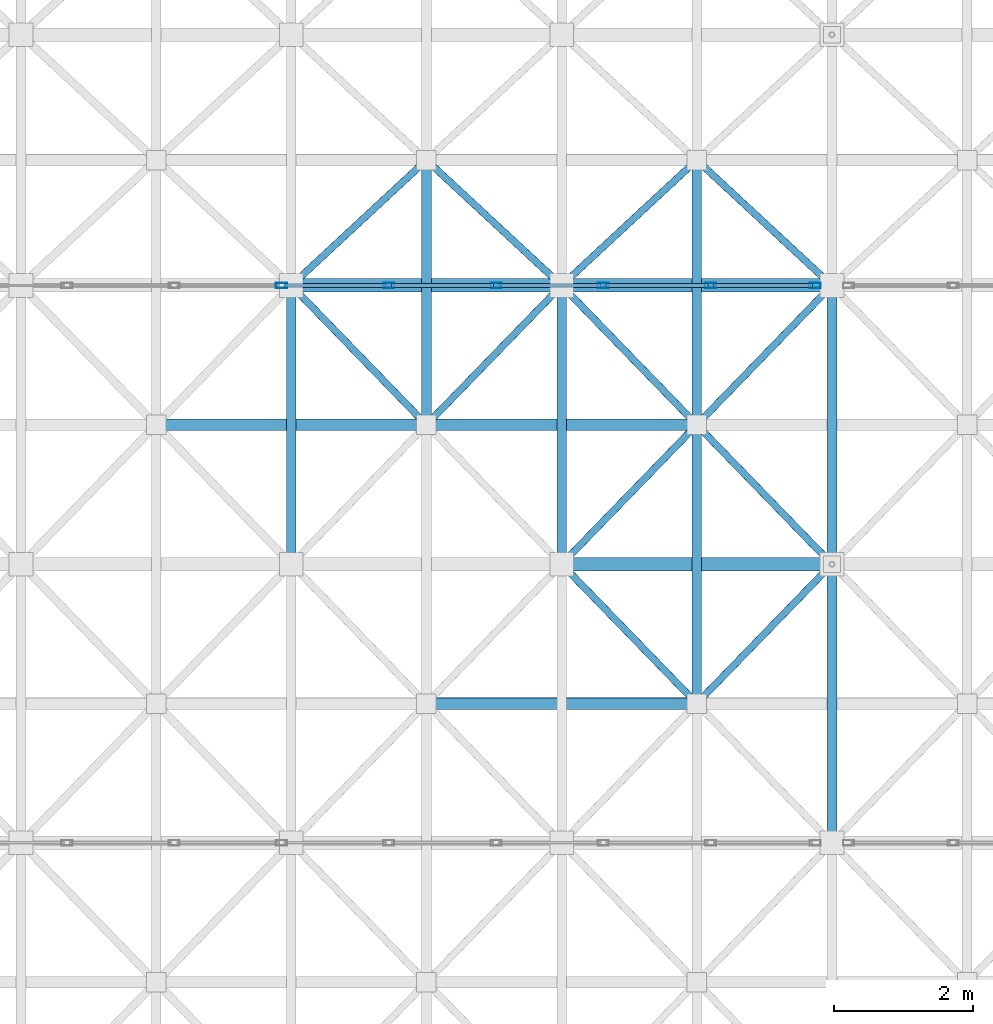
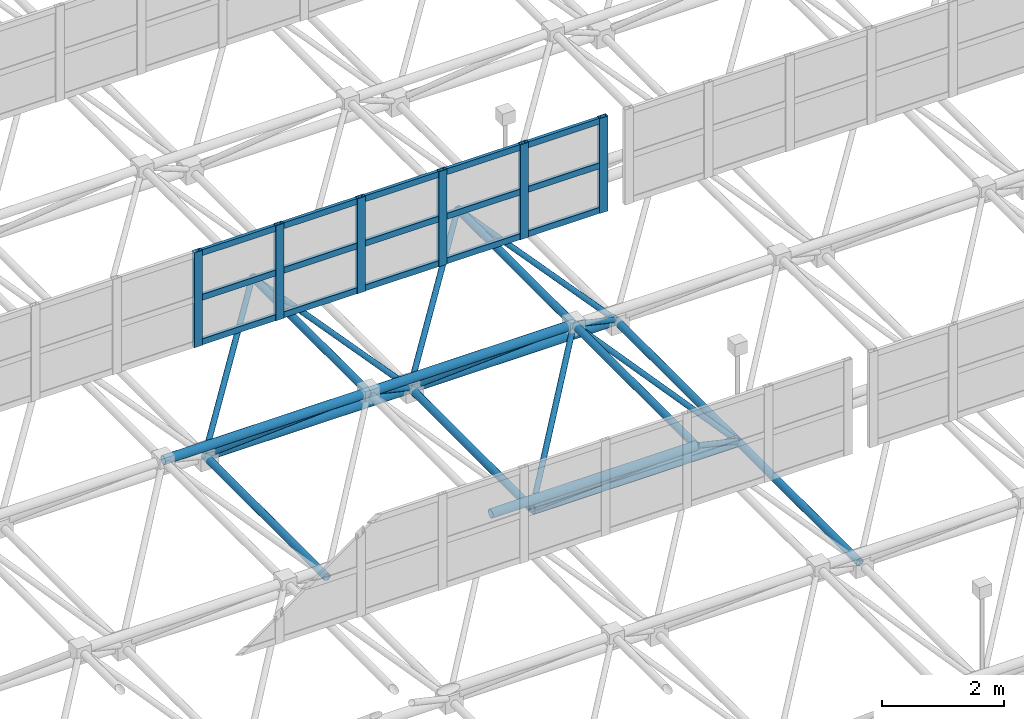
# One storey, part 85 of 195: 46 members, 1 element without a shape of its own.
"""IFC4 building model written with IfcOpenShell, lengths in metres."""

from ifc_helpers import new_model, si_unit, direction, frame, origin, origin_2d, place, context, subcontext, project, spatial, hollow_rectangle, hollow_circle, extrude, material, material_profile, profile_set, type_object, element, aggregate, save


model = new_model("IFC4")

# Units and contexts
model_context = context("Model", 3, precision=1e-05, world=origin(), true_north=direction((0.0, 1.0)))
body_context = subcontext(model_context, "Body", "Model", "MODEL_VIEW")
ifc_project = project(units=[si_unit("LENGTHUNIT", "METRE"), si_unit("AREAUNIT", "SQUARE_METRE"), si_unit("VOLUMEUNIT", "CUBIC_METRE"), si_unit("PLANEANGLEUNIT", "RADIAN"), si_unit("MASSUNIT", "GRAM", prefix="KILO")], contexts=[model_context])

# Site, building, storey
site_placement = place(None, origin())
site = spatial("IfcSite", under=ifc_project, at=site_placement, CompositionType="ELEMENT")
building_placement = place(site_placement, origin())
building = spatial("IfcBuilding", under=site, at=building_placement, Name="Kharva Crest Polytechnic", CompositionType="ELEMENT")
storey_placement = place(building_placement, frame((0.0, 0.0, 9.0)))
storey = spatial("IfcBuildingStorey", under=building, at=storey_placement, Name="L02", CompositionType="ELEMENT", Elevation=9.0)

# Curtain wall, members
ifc_material_1 = material(Name="Tempered insulated glass", Category="glass")
curtain_wall_type = type_object("IfcCurtainWallType", Name="CW-SYS-NORTHLIGHT", PredefinedType="USERDEFINED", material=ifc_material_1)
curtain_wall_placement = place(storey_placement, origin())
curtain_wall = element("IfcCurtainWall", 1, at=curtain_wall_placement, inside=storey, type_object=curtain_wall_type, Name="L02 Glazed Curtain Wall CW-197", ObjectType="CURTAIN WALL", PredefinedType="USERDEFINED")
ifc_material_2 = material(Name="Steel S355", Category="steel")
ifc_material_profile_1 = material_profile(ifc_material_2, hollow_rectangle(XDim=0.080078125, YDim=0.159912109375, WallThickness=0.0048828125, at=origin_2d()), Name="RHS 160X80X5.0")
ifc_profile_set_1 = profile_set([ifc_material_profile_1], Name="Steel S355")
member_type_1 = type_object("IfcMemberType", Name="CWM-RHS160X80", PredefinedType="MULLION", material=ifc_profile_set_1)
member_1_placement = place(storey_placement, frame((8.10009765625, 78.800048828125, 2.85009765625), z_axis=(0.0, 0.0, 1.0), x_axis=(0.0, 1.0, 0.0)))
member_1 = element("IfcMember", 2, at=member_1_placement, type_object=member_type_1, Name="CW-197 mullion 6", PredefinedType="MULLION", context=body_context, shape_type="SweptSolid", body=[
    extrude(hollow_rectangle(XDim=0.080078125, YDim=0.159912109375, WallThickness=0.0048828125, at=origin_2d()), origin(), (0.0, 0.0, 1.0), 1.89990234375),
])
member_2_placement = place(storey_placement, frame((9.639892578125, 78.800048828125, 2.85009765625), z_axis=(0.0, 0.0, 1.0), x_axis=(0.0, 1.0, 0.0)))
member_2 = element("IfcMember", 3, at=member_2_placement, type_object=member_type_1, Name="CW-197 mullion 7", PredefinedType="MULLION", context=body_context, shape_type="SweptSolid", body=[
    extrude(hollow_rectangle(XDim=0.080078125, YDim=0.159912109375, WallThickness=0.0048828125, at=origin_2d()), origin(), (0.0, 0.0, 1.0), 1.89990234375),
])
member_3_placement = place(storey_placement, frame((11.179931640625, 78.800048828125, 2.85009765625), z_axis=(0.0, 0.0, 1.0), x_axis=(0.0, 1.0, 0.0)))
member_3 = element("IfcMember", 4, at=member_3_placement, type_object=member_type_1, Name="CW-197 mullion 8", PredefinedType="MULLION", context=body_context, shape_type="SweptSolid", body=[
    extrude(hollow_rectangle(XDim=0.080078125, YDim=0.159912109375, WallThickness=0.0048828125, at=origin_2d()), origin(), (0.0, 0.0, 1.0), 1.89990234375),
])
member_4_placement = place(storey_placement, frame((12.719970703125, 78.800048828125, 2.85009765625), z_axis=(0.0, 0.0, 1.0), x_axis=(0.0, 1.0, 0.0)))
member_4 = element("IfcMember", 5, at=member_4_placement, type_object=member_type_1, Name="CW-197 mullion 9", PredefinedType="MULLION", context=body_context, shape_type="SweptSolid", body=[
    extrude(hollow_rectangle(XDim=0.080078125, YDim=0.159912109375, WallThickness=0.0048828125, at=origin_2d()), origin(), (0.0, 0.0, 1.0), 1.89990234375),
])
member_5_placement = place(storey_placement, frame((14.260009765625, 78.800048828125, 2.85009765625), z_axis=(0.0, 0.0, 1.0), x_axis=(0.0, 1.0, 0.0)))
member_5 = element("IfcMember", 6, at=member_5_placement, type_object=member_type_1, Name="CW-197 mullion 10", PredefinedType="MULLION", context=body_context, shape_type="SweptSolid", body=[
    extrude(hollow_rectangle(XDim=0.080078125, YDim=0.159912109375, WallThickness=0.0048828125, at=origin_2d()), origin(), (0.0, 0.0, 1.0), 1.89990234375),
])
member_6_placement = place(storey_placement, frame((15.760009765625, 78.800048828125, 2.85009765625), z_axis=(0.0, 0.0, 1.0), x_axis=(0.0, 1.0, 0.0)))
member_6 = element("IfcMember", 7, at=member_6_placement, type_object=member_type_1, Name="CW-197 mullion 11", PredefinedType="MULLION", context=body_context, shape_type="SweptSolid", body=[
    extrude(hollow_rectangle(XDim=0.080078125, YDim=0.159912109375, WallThickness=0.0048828125, at=origin_2d()), origin(), (0.0, 0.0, 1.0), 1.89990234375),
])
ifc_material_profile_2 = material_profile(ifc_material_2, hollow_rectangle(XDim=0.06005859375, YDim=0.1201171875, WallThickness=0.00390625, at=origin_2d()), Name="RHS 120X60X4.0")
ifc_profile_set_2 = profile_set([ifc_material_profile_2], Name="Steel S355")
member_type_2 = type_object("IfcMemberType", Name="CWT-RHS120X60", PredefinedType="USERDEFINED", material=ifc_profile_set_2)
member_7_placement = place(storey_placement, frame((8.139892578125, 78.800048828125, 2.909912109375), z_axis=(1.0, 0.0, 0.0), x_axis=(0.0, 1.0, 0.0)))
member_7 = element("IfcMember", 8, at=member_7_placement, type_object=member_type_2, Name="CW-197 transom 6.1", ObjectType="TRANSOM", PredefinedType="USERDEFINED", context=body_context, shape_type="SweptSolid", body=[
    extrude(hollow_rectangle(XDim=0.06005859375, YDim=0.1201171875, WallThickness=0.00390625, at=origin_2d()), origin(), (0.0, 0.0, 1.0), 1.460205078125),
])
member_8_placement = place(storey_placement, frame((8.139892578125, 78.800048828125, 3.800048828125), z_axis=(1.0, 0.0, 0.0), x_axis=(0.0, 1.0, 0.0)))
member_8 = element("IfcMember", 9, at=member_8_placement, type_object=member_type_2, Name="CW-197 transom 6.2", ObjectType="TRANSOM", PredefinedType="USERDEFINED", context=body_context, shape_type="SweptSolid", body=[
    extrude(hollow_rectangle(XDim=0.06005859375, YDim=0.1201171875, WallThickness=0.00390625, at=origin_2d()), origin(), (0.0, 0.0, 1.0), 1.460205078125),
])
member_9_placement = place(storey_placement, frame((8.139892578125, 78.800048828125, 4.68994140625), z_axis=(1.0, 0.0, 0.0), x_axis=(0.0, 1.0, 0.0)))
member_9 = element("IfcMember", 10, at=member_9_placement, type_object=member_type_2, Name="CW-197 transom 6.3", ObjectType="TRANSOM", PredefinedType="USERDEFINED", context=body_context, shape_type="SweptSolid", body=[
    extrude(hollow_rectangle(XDim=0.06005859375, YDim=0.1201171875, WallThickness=0.00390625, at=origin_2d()), origin(), (0.0, 0.0, 1.0), 1.460205078125),
])
member_10_placement = place(storey_placement, frame((9.679931640625, 78.800048828125, 2.909912109375), z_axis=(1.0, 0.0, 0.0), x_axis=(0.0, 1.0, 0.0)))
member_10 = element("IfcMember", 11, at=member_10_placement, type_object=member_type_2, Name="CW-197 transom 7.1", ObjectType="TRANSOM", PredefinedType="USERDEFINED", context=body_context, shape_type="SweptSolid", body=[
    extrude(hollow_rectangle(XDim=0.06005859375, YDim=0.1201171875, WallThickness=0.00390625, at=origin_2d()), origin(), (0.0, 0.0, 1.0), 1.4599609375),
])
member_11_placement = place(storey_placement, frame((9.679931640625, 78.800048828125, 3.800048828125), z_axis=(1.0, 0.0, 0.0), x_axis=(0.0, 1.0, 0.0)))
member_11 = element("IfcMember", 12, at=member_11_placement, type_object=member_type_2, Name="CW-197 transom 7.2", ObjectType="TRANSOM", PredefinedType="USERDEFINED", context=body_context, shape_type="SweptSolid", body=[
    extrude(hollow_rectangle(XDim=0.06005859375, YDim=0.1201171875, WallThickness=0.00390625, at=origin_2d()), origin(), (0.0, 0.0, 1.0), 1.4599609375),
])
member_12_placement = place(storey_placement, frame((9.679931640625, 78.800048828125, 4.68994140625), z_axis=(1.0, 0.0, 0.0), x_axis=(0.0, 1.0, 0.0)))
member_12 = element("IfcMember", 13, at=member_12_placement, type_object=member_type_2, Name="CW-197 transom 7.3", ObjectType="TRANSOM", PredefinedType="USERDEFINED", context=body_context, shape_type="SweptSolid", body=[
    extrude(hollow_rectangle(XDim=0.06005859375, YDim=0.1201171875, WallThickness=0.00390625, at=origin_2d()), origin(), (0.0, 0.0, 1.0), 1.4599609375),
])
member_13_placement = place(storey_placement, frame((11.219970703125, 78.800048828125, 2.909912109375), z_axis=(1.0, 0.0, 0.0), x_axis=(0.0, 1.0, 0.0)))
member_13 = element("IfcMember", 14, at=member_13_placement, type_object=member_type_2, Name="CW-197 transom 8.1", ObjectType="TRANSOM", PredefinedType="USERDEFINED", context=body_context, shape_type="SweptSolid", body=[
    extrude(hollow_rectangle(XDim=0.06005859375, YDim=0.1201171875, WallThickness=0.00390625, at=origin_2d()), origin(), (0.0, 0.0, 1.0), 1.4599609375),
])
member_14_placement = place(storey_placement, frame((11.219970703125, 78.800048828125, 3.800048828125), z_axis=(1.0, 0.0, 0.0), x_axis=(0.0, 1.0, 0.0)))
member_14 = element("IfcMember", 15, at=member_14_placement, type_object=member_type_2, Name="CW-197 transom 8.2", ObjectType="TRANSOM", PredefinedType="USERDEFINED", context=body_context, shape_type="SweptSolid", body=[
    extrude(hollow_rectangle(XDim=0.06005859375, YDim=0.1201171875, WallThickness=0.00390625, at=origin_2d()), origin(), (0.0, 0.0, 1.0), 1.4599609375),
])
member_15_placement = place(storey_placement, frame((11.219970703125, 78.800048828125, 4.68994140625), z_axis=(1.0, 0.0, 0.0), x_axis=(0.0, 1.0, 0.0)))
member_15 = element("IfcMember", 16, at=member_15_placement, type_object=member_type_2, Name="CW-197 transom 8.3", ObjectType="TRANSOM", PredefinedType="USERDEFINED", context=body_context, shape_type="SweptSolid", body=[
    extrude(hollow_rectangle(XDim=0.06005859375, YDim=0.1201171875, WallThickness=0.00390625, at=origin_2d()), origin(), (0.0, 0.0, 1.0), 1.4599609375),
])
member_16_placement = place(storey_placement, frame((12.760009765625, 78.800048828125, 2.909912109375), z_axis=(1.0, 0.0, 0.0), x_axis=(0.0, 1.0, 0.0)))
member_16 = element("IfcMember", 17, at=member_16_placement, type_object=member_type_2, Name="CW-197 transom 9.1", ObjectType="TRANSOM", PredefinedType="USERDEFINED", context=body_context, shape_type="SweptSolid", body=[
    extrude(hollow_rectangle(XDim=0.06005859375, YDim=0.1201171875, WallThickness=0.00390625, at=origin_2d()), origin(), (0.0, 0.0, 1.0), 1.4599609375),
])
member_17_placement = place(storey_placement, frame((12.760009765625, 78.800048828125, 3.800048828125), z_axis=(1.0, 0.0, 0.0), x_axis=(0.0, 1.0, 0.0)))
member_17 = element("IfcMember", 18, at=member_17_placement, type_object=member_type_2, Name="CW-197 transom 9.2", ObjectType="TRANSOM", PredefinedType="USERDEFINED", context=body_context, shape_type="SweptSolid", body=[
    extrude(hollow_rectangle(XDim=0.06005859375, YDim=0.1201171875, WallThickness=0.00390625, at=origin_2d()), origin(), (0.0, 0.0, 1.0), 1.4599609375),
])
member_18_placement = place(storey_placement, frame((12.760009765625, 78.800048828125, 4.68994140625), z_axis=(1.0, 0.0, 0.0), x_axis=(0.0, 1.0, 0.0)))
member_18 = element("IfcMember", 19, at=member_18_placement, type_object=member_type_2, Name="CW-197 transom 9.3", ObjectType="TRANSOM", PredefinedType="USERDEFINED", context=body_context, shape_type="SweptSolid", body=[
    extrude(hollow_rectangle(XDim=0.06005859375, YDim=0.1201171875, WallThickness=0.00390625, at=origin_2d()), origin(), (0.0, 0.0, 1.0), 1.4599609375),
])
member_19_placement = place(storey_placement, frame((14.300048828125, 78.800048828125, 2.909912109375), z_axis=(1.0, 0.0, 0.0), x_axis=(0.0, 1.0, 0.0)))
member_19 = element("IfcMember", 20, at=member_19_placement, type_object=member_type_2, Name="CW-197 transom 10.1", ObjectType="TRANSOM", PredefinedType="USERDEFINED", context=body_context, shape_type="SweptSolid", body=[
    extrude(hollow_rectangle(XDim=0.06005859375, YDim=0.1201171875, WallThickness=0.00390625, at=origin_2d()), origin(), (0.0, 0.0, 1.0), 1.419921875),
])
member_20_placement = place(storey_placement, frame((14.300048828125, 78.800048828125, 3.800048828125), z_axis=(1.0, 0.0, 0.0), x_axis=(0.0, 1.0, 0.0)))
member_20 = element("IfcMember", 21, at=member_20_placement, type_object=member_type_2, Name="CW-197 transom 10.2", ObjectType="TRANSOM", PredefinedType="USERDEFINED", context=body_context, shape_type="SweptSolid", body=[
    extrude(hollow_rectangle(XDim=0.06005859375, YDim=0.1201171875, WallThickness=0.00390625, at=origin_2d()), origin(), (0.0, 0.0, 1.0), 1.419921875),
])
member_21_placement = place(storey_placement, frame((14.300048828125, 78.800048828125, 4.68994140625), z_axis=(1.0, 0.0, 0.0), x_axis=(0.0, 1.0, 0.0)))
member_21 = element("IfcMember", 22, at=member_21_placement, type_object=member_type_2, Name="CW-197 transom 10.3", ObjectType="TRANSOM", PredefinedType="USERDEFINED", context=body_context, shape_type="SweptSolid", body=[
    extrude(hollow_rectangle(XDim=0.06005859375, YDim=0.1201171875, WallThickness=0.00390625, at=origin_2d()), origin(), (0.0, 0.0, 1.0), 1.419921875),
])
aggregate(curtain_wall, [member_1, member_2, member_3, member_4, member_5, member_6, member_7, member_8, member_9, member_10, member_11, member_12, member_13, member_14, member_15, member_16, member_17, member_18, member_19, member_20, member_21])

# Members
ifc_material_profile_3 = material_profile(ifc_material_2, hollow_circle(Radius=0.05078125, WallThickness=0.0048828125, at=origin_2d()), Name="CHS 101.6X5.0")
ifc_profile_set_3 = profile_set([ifc_material_profile_3], Name="Steel S355")
member_type_3 = type_object("IfcMemberType", Name="MEM-CHS101", PredefinedType="BRACE", material=ifc_profile_set_3)
for number, where, z_axis, x_axis, name in (
    (23, (8.239990234375, 78.800048828125, 0.60009765625), (0.584843378742, -0.602949529154, 0.542595694449), (0.717802189577, 0.696247094528, 0.0), "Space Frame Web Diagonal 599"),
    (24, (12.1201171875, 78.800048828125, 0.60009765625), (-0.584891802813, -0.602923574763, 0.542572338032), (0.717758400015, -0.696292236929, 0.0), "Space Frame Web Diagonal 600"),
):
    element("IfcMember", number, at=place(storey_placement, frame(where, z_axis=z_axis, x_axis=x_axis)), inside=storey, type_object=member_type_3, Name=name, PredefinedType="BRACE", context=body_context, shape_type="SweptSolid", body=[
        extrude(hollow_circle(Radius=0.05078125, WallThickness=0.0048828125, at=origin_2d()), origin(), (0.0, 0.0, 1.0), 3.317138671875),
    ])
member_22_placement = place(storey_placement, frame((8.239990234375, 78.800048828125, 0.60009765625), z_axis=(0.606147481159, 0.562437122903, 0.562360839555), x_axis=(-0.680182129432, 0.73304315753, 0.0)))
element("IfcMember", 25, at=member_22_placement, inside=storey, type_object=member_type_3, Name="Space Frame Web Diagonal 601", PredefinedType="BRACE", context=body_context, shape_type="SweptSolid", body=[
    extrude(hollow_circle(Radius=0.05078125, WallThickness=0.0048828125, at=origin_2d()), origin(), (0.0, 0.0, 1.0), 3.200439453125),
])
member_23_placement = place(storey_placement, frame((12.1201171875, 78.800048828125, 0.60009765625), z_axis=(-0.606195733531, 0.562411116563, 0.562334836743), x_axis=(-0.680136133543, -0.733085833889, 0.0)))
element("IfcMember", 26, at=member_23_placement, inside=storey, type_object=member_type_3, Name="Space Frame Web Diagonal 602", PredefinedType="BRACE", context=body_context, shape_type="SweptSolid", body=[
    extrude(hollow_circle(Radius=0.05078125, WallThickness=0.0048828125, at=origin_2d()), origin(), (0.0, 0.0, 1.0), 3.20068359375),
])
for number, where, z_axis, x_axis, name in (
    (27, (12.1201171875, 74.800048828125, 0.60009765625), (0.584843378742, -0.602949529154, 0.542595694449), (0.717802189577, 0.696247094528, 0.0), "Space Frame Web Diagonal 651"),
    (28, (16.0, 74.800048828125, 0.60009765625), (-0.584843378742, -0.602949529154, 0.542595694449), (0.717802189577, -0.696247094528, 0.0), "Space Frame Web Diagonal 652"),
    (29, (12.1201171875, 74.800048828125, 0.60009765625), (0.584843378742, 0.602949529154, 0.542595694449), (-0.717802189577, 0.696247094528, 0.0), "Space Frame Web Diagonal 653"),
    (30, (16.0, 74.800048828125, 0.60009765625), (-0.584843378742, 0.602949529154, 0.542595694449), (-0.717802189577, -0.696247094528, 0.0), "Space Frame Web Diagonal 654"),
    (31, (12.1201171875, 78.800048828125, 0.60009765625), (0.584843378742, -0.602949529154, 0.542595694449), (0.717802189577, 0.696247094528, 0.0), "Space Frame Web Diagonal 655"),
    (32, (16.0, 78.800048828125, 0.60009765625), (-0.584843378742, -0.602949529154, 0.542595694449), (0.717802189577, -0.696247094528, 0.0), "Space Frame Web Diagonal 656"),
):
    element("IfcMember", number, at=place(storey_placement, frame(where, z_axis=z_axis, x_axis=x_axis)), inside=storey, type_object=member_type_3, Name=name, PredefinedType="BRACE", context=body_context, shape_type="SweptSolid", body=[
        extrude(hollow_circle(Radius=0.05078125, WallThickness=0.0048828125, at=origin_2d()), origin(), (0.0, 0.0, 1.0), 3.317138671875),
    ])
for number, where, z_axis, x_axis, name in (
    (33, (12.1201171875, 78.800048828125, 0.60009765625), (0.606147481159, 0.562437122903, 0.562360839555), (-0.680182129432, 0.73304315753, 0.0), "Space Frame Web Diagonal 657"),
    (34, (16.0, 78.800048828125, 0.60009765625), (-0.606147481159, 0.562437122903, 0.562360839555), (-0.680182129432, -0.73304315753, 0.0), "Space Frame Web Diagonal 658"),
):
    element("IfcMember", number, at=place(storey_placement, frame(where, z_axis=z_axis, x_axis=x_axis)), inside=storey, type_object=member_type_3, Name=name, PredefinedType="BRACE", context=body_context, shape_type="SweptSolid", body=[
        extrude(hollow_circle(Radius=0.05078125, WallThickness=0.0048828125, at=origin_2d()), origin(), (0.0, 0.0, 1.0), 3.200439453125),
    ])
ifc_material_profile_4 = material_profile(ifc_material_2, hollow_circle(Radius=0.06982421875, WallThickness=0.00634765625, at=origin_2d()), Name="CHS 139.7X6.3")
ifc_profile_set_4 = profile_set([ifc_material_profile_4], Name="Steel S355")
member_type_4 = type_object("IfcMemberType", Name="MEM-CHS139", PredefinedType="CHORD", material=ifc_profile_set_4)
for number, where, z_axis, x_axis, name in (
    (35, (8.239990234375, 74.800048828125, 0.60009765625), (0.0, 1.0, 0.0), (-1.0, 0.0, 0.0), "Space Frame Bottom Chord Y 158"),
    (36, (12.1201171875, 74.800048828125, 0.60009765625), (0.0, 1.0, 0.0), (-1.0, 0.0, 0.0), "Space Frame Bottom Chord Y 172"),
    (37, (16.0, 70.800048828125, 0.60009765625), (0.0, 1.0, 0.0), (-1.0, 0.0, 0.0), "Space Frame Bottom Chord Y 185"),
    (38, (16.0, 74.800048828125, 0.60009765625), (0.0, 1.0, 0.0), (-1.0, 0.0, 0.0), "Space Frame Bottom Chord Y 186"),
):
    element("IfcMember", number, at=place(storey_placement, frame(where, z_axis=z_axis, x_axis=x_axis)), inside=storey, type_object=member_type_4, Name=name, PredefinedType="CHORD", context=body_context, shape_type="SweptSolid", body=[
        extrude(hollow_circle(Radius=0.06982421875, WallThickness=0.00634765625, at=origin_2d()), origin(), (0.0, 0.0, 1.0), 4.0),
    ])
member_24_placement = place(storey_placement, frame((10.179931640625, 76.800048828125, 2.39990234375), z_axis=(0.0, 1.0, 0.0), x_axis=(-1.0, 0.0, 0.0)))
element("IfcMember", 39, at=member_24_placement, inside=storey, type_object=member_type_4, Name="Space Frame Top Chord Y 380", PredefinedType="CHORD", context=body_context, shape_type="SweptSolid", body=[
    extrude(hollow_circle(Radius=0.06982421875, WallThickness=0.00634765625, at=origin_2d()), origin(), (0.0, 0.0, 1.0), 3.800048828125),
])
member_25_placement = place(storey_placement, frame((14.06005859375, 72.800048828125, 2.39990234375), z_axis=(0.0, 1.0, 0.0), x_axis=(-1.0, 0.0, 0.0)))
element("IfcMember", 40, at=member_25_placement, inside=storey, type_object=member_type_4, Name="Space Frame Top Chord Y 392", PredefinedType="CHORD", context=body_context, shape_type="SweptSolid", body=[
    extrude(hollow_circle(Radius=0.06982421875, WallThickness=0.00634765625, at=origin_2d()), origin(), (0.0, 0.0, 1.0), 4.0),
])
member_26_placement = place(storey_placement, frame((14.06005859375, 76.800048828125, 2.39990234375), z_axis=(0.0, 1.0, 0.0), x_axis=(-1.0, 0.0, 0.0)))
element("IfcMember", 41, at=member_26_placement, inside=storey, type_object=member_type_4, Name="Space Frame Top Chord Y 393", PredefinedType="CHORD", context=body_context, shape_type="SweptSolid", body=[
    extrude(hollow_circle(Radius=0.06982421875, WallThickness=0.00634765625, at=origin_2d()), origin(), (0.0, 0.0, 1.0), 3.800048828125),
])
ifc_material_profile_5 = material_profile(ifc_material_2, hollow_circle(Radius=0.084228515625, WallThickness=0.008056640625, at=origin_2d()), Name="CHS 168.3X8.0")
ifc_profile_set_5 = profile_set([ifc_material_profile_5], Name="Steel S355")
member_type_5 = type_object("IfcMemberType", Name="MEM-CHS168", PredefinedType="CHORD", material=ifc_profile_set_5)
member_27_placement = place(storey_placement, frame((10.179931640625, 72.800048828125, 2.39990234375), z_axis=(1.0, 0.0, 0.0), x_axis=(0.0, 1.0, 0.0)))
element("IfcMember", 42, at=member_27_placement, inside=storey, type_object=member_type_5, Name="Space Frame Top Chord X 305", PredefinedType="CHORD", context=body_context, shape_type="SweptSolid", body=[
    extrude(hollow_circle(Radius=0.084228515625, WallThickness=0.008056640625, at=origin_2d()), origin(), (0.0, 0.0, 1.0), 3.880126953125),
])
member_28_placement = place(storey_placement, frame((6.300048828125, 76.800048828125, 2.39990234375), z_axis=(1.0, 0.0, 0.0), x_axis=(0.0, 1.0, 0.0)))
element("IfcMember", 43, at=member_28_placement, inside=storey, type_object=member_type_5, Name="Space Frame Top Chord X 311", PredefinedType="CHORD", context=body_context, shape_type="SweptSolid", body=[
    extrude(hollow_circle(Radius=0.084228515625, WallThickness=0.008056640625, at=origin_2d()), origin(), (0.0, 0.0, 1.0), 3.8798828125),
])
member_29_placement = place(storey_placement, frame((10.179931640625, 76.800048828125, 2.39990234375), z_axis=(1.0, 0.0, 0.0), x_axis=(0.0, 1.0, 0.0)))
element("IfcMember", 44, at=member_29_placement, inside=storey, type_object=member_type_5, Name="Space Frame Top Chord X 312", PredefinedType="CHORD", context=body_context, shape_type="SweptSolid", body=[
    extrude(hollow_circle(Radius=0.084228515625, WallThickness=0.008056640625, at=origin_2d()), origin(), (0.0, 0.0, 1.0), 3.880126953125),
])
ifc_material_profile_6 = material_profile(ifc_material_2, hollow_circle(Radius=0.096923828125, WallThickness=0.008056640625, at=origin_2d()), Name="CHS 193.7X8.0")
ifc_profile_set_6 = profile_set([ifc_material_profile_6], Name="Steel S355")
member_type_6 = type_object("IfcMemberType", Name="MEM-CHS193", PredefinedType="CHORD", material=ifc_profile_set_6)
member_30_placement = place(storey_placement, frame((12.1201171875, 74.800048828125, 0.60009765625), z_axis=(1.0, 0.0, 0.0), x_axis=(0.0, 1.0, 0.0)))
element("IfcMember", 45, at=member_30_placement, inside=storey, type_object=member_type_6, Name="Space Frame Bottom Chord X 76", PredefinedType="CHORD", context=body_context, shape_type="SweptSolid", body=[
    extrude(hollow_circle(Radius=0.096923828125, WallThickness=0.008056640625, at=origin_2d()), origin(), (0.0, 0.0, 1.0), 3.8798828125),
])
member_31_placement = place(storey_placement, frame((8.239990234375, 78.800048828125, 0.60009765625), z_axis=(1.0, 0.0, 0.0), x_axis=(0.0, 1.0, 0.0)))
element("IfcMember", 46, at=member_31_placement, inside=storey, type_object=member_type_6, Name="Space Frame Bottom Chord X 83", PredefinedType="CHORD", context=body_context, shape_type="SweptSolid", body=[
    extrude(hollow_circle(Radius=0.096923828125, WallThickness=0.008056640625, at=origin_2d()), origin(), (0.0, 0.0, 1.0), 3.880126953125),
])
member_32_placement = place(storey_placement, frame((12.1201171875, 78.800048828125, 0.60009765625), z_axis=(1.0, 0.0, 0.0), x_axis=(0.0, 1.0, 0.0)))
element("IfcMember", 47, at=member_32_placement, inside=storey, type_object=member_type_6, Name="Space Frame Bottom Chord X 84", PredefinedType="CHORD", context=body_context, shape_type="SweptSolid", body=[
    extrude(hollow_circle(Radius=0.096923828125, WallThickness=0.008056640625, at=origin_2d()), origin(), (0.0, 0.0, 1.0), 3.8798828125),
])

save(model, "model.ifc")
